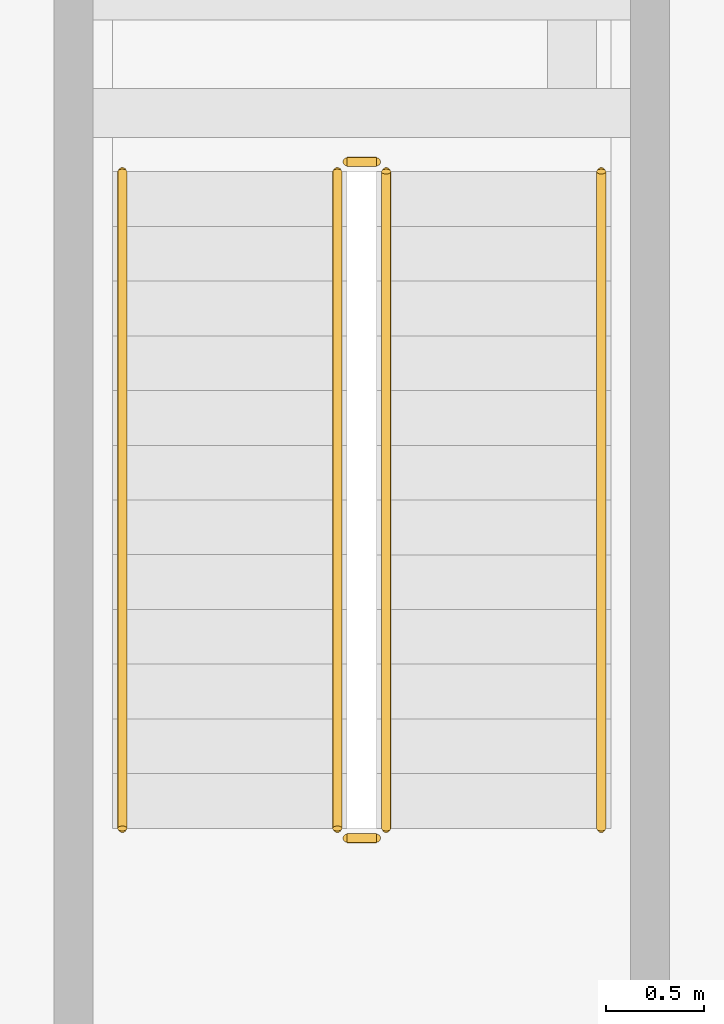
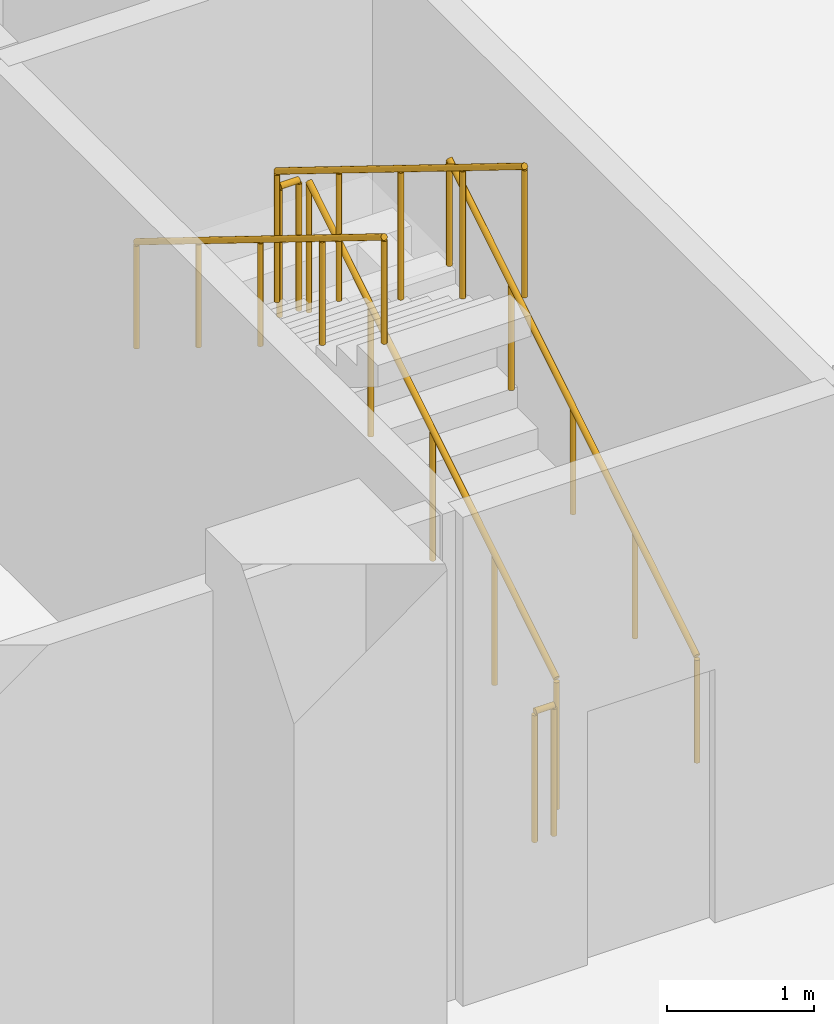
# One storey, part 31 of 34: 6 railings.
"""IFC4 building model written with IfcOpenShell, lengths in metres."""

from ifc_helpers import new_model, si_unit, direction, frame, origin, origin_2d, place, context, subcontext, project, spatial, circle, extrude, material, type_object, element, save


model = new_model("IFC4")

# Units and contexts
model_context = context("Model", 3, precision=1e-05, world=origin(), true_north=direction((0.0, 1.0)))
body_context = subcontext(model_context, "Body", "Model", "MODEL_VIEW")
ifc_project = project(units=[si_unit("LENGTHUNIT", "METRE"), si_unit("AREAUNIT", "SQUARE_METRE"), si_unit("VOLUMEUNIT", "CUBIC_METRE"), si_unit("PLANEANGLEUNIT", "RADIAN"), si_unit("MASSUNIT", "GRAM", prefix="KILO")], contexts=[model_context])

# Site, building, storey
site_placement = place(None, origin())
site = spatial("IfcSite", under=ifc_project, at=site_placement, CompositionType="ELEMENT")
building_placement = place(site_placement, origin())
building = spatial("IfcBuilding", under=site, at=building_placement, Name="Ogive Gate Towers", CompositionType="ELEMENT")
storey_placement = place(building_placement, frame((0.0, 0.0, -4.5)))
storey = spatial("IfcBuildingStorey", under=building, at=storey_placement, Name="B1", CompositionType="ELEMENT", Elevation=-4.5)

# Railings
ifc_material_1 = material(Name="Painted steel", Category="steel")
railing_type_1 = type_object("IfcRailingType", Name="Car park stair guard 1100", PredefinedType="GUARDRAIL", material=ifc_material_1)
railing_1_placement = place(storey_placement, frame((-96.10009765625, 64.89990234375, 0.173095703125)))
element("IfcRailing", 1, at=railing_1_placement, inside=storey, type_object=railing_type_1, Name="B1 CS1 stair guard 1", PredefinedType="GUARDRAIL", context=body_context, shape_type="SweptSolid", body=[
    extrude(circle(Radius=0.02392578125, at=origin_2d()), frame((0.0, 0.0, 1.076171875), z_axis=(0.0, 0.850623216509, 0.525775754039), x_axis=(-1.0, 0.0, 0.0)), (0.0, 0.0, 1.0), 3.9501953125),
    extrude(circle(Radius=0.02099609375, at=origin_2d()), origin(), (0.0, 0.0, 1.0), 1.052001953125),
    extrude(circle(Radius=0.02099609375, at=origin_2d()), frame((0.0, 0.840087890625, 0.519287109375)), (0.0, 0.0, 1.0), 1.052001953125),
    extrude(circle(Radius=0.02099609375, at=origin_2d()), frame((0.0, 1.68017578125, 1.03857421875)), (0.0, 0.0, 1.0), 1.052001953125),
    extrude(circle(Radius=0.02099609375, at=origin_2d()), frame((0.0, 2.52001953125, 1.5576171875)), (0.0, 0.0, 1.0), 1.052001953125),
    extrude(circle(Radius=0.02099609375, at=origin_2d()), frame((0.0, 3.360107421875, 2.076904296875)), (0.0, 0.0, 1.0), 1.052001953125),
])
railing_2_placement = place(storey_placement, frame((-96.14990234375, 68.31005859375, 2.25)))
element("IfcRailing", 2, at=railing_2_placement, inside=storey, type_object=railing_type_1, Name="B1 CS1 stair guard 2", PredefinedType="GUARDRAIL", context=body_context, shape_type="SweptSolid", body=[
    extrude(circle(Radius=0.02392578125, at=origin_2d()), frame((0.0, 0.0, 1.076171875), z_axis=(-1.0, 0.0, 0.0), x_axis=(0.0, -1.0, 0.0)), (0.0, 0.0, 1.0), 0.150146484375),
    extrude(circle(Radius=0.02099609375, at=origin_2d()), origin(), (0.0, 0.0, 1.0), 1.052001953125),
    extrude(circle(Radius=0.02099609375, at=origin_2d()), frame((-0.150146484375, 0.0, 0.0)), (0.0, 0.0, 1.0), 1.052001953125),
])
railing_3_placement = place(storey_placement, frame((-96.35009765625, 68.260009765625, 2.423095703125)))
element("IfcRailing", 3, at=railing_3_placement, inside=storey, type_object=railing_type_1, Name="B1 CS1 stair guard 3", PredefinedType="GUARDRAIL", context=body_context, shape_type="SweptSolid", body=[
    extrude(circle(Radius=0.02392578125, at=origin_2d()), frame((0.0, 0.0, 1.076171875), z_axis=(0.0, -0.850623216509, 0.525775754039), x_axis=(1.0, 0.0, 0.0)), (0.0, 0.0, 1.0), 3.9501953125),
    extrude(circle(Radius=0.02099609375, at=origin_2d()), origin(), (0.0, 0.0, 1.0), 1.052001953125),
    extrude(circle(Radius=0.02099609375, at=origin_2d()), frame((0.0, -0.840087890625, 0.519287109375)), (0.0, 0.0, 1.0), 1.052001953125),
    extrude(circle(Radius=0.02099609375, at=origin_2d()), frame((0.0, -1.68017578125, 1.03857421875)), (0.0, 0.0, 1.0), 1.052001953125),
    extrude(circle(Radius=0.02099609375, at=origin_2d()), frame((0.0, -2.52001953125, 1.5576171875)), (0.0, 0.0, 1.0), 1.052001953125),
    extrude(circle(Radius=0.02099609375, at=origin_2d()), frame((0.0, -3.360107421875, 2.076904296875)), (0.0, 0.0, 1.0), 1.052001953125),
])
railing_4_placement = place(storey_placement, frame((-96.14990234375, 64.85009765625, 0.0)))
element("IfcRailing", 4, at=railing_4_placement, inside=storey, type_object=railing_type_1, Name="B1 CS1 stair guard 4", PredefinedType="GUARDRAIL", context=body_context, shape_type="SweptSolid", body=[
    extrude(circle(Radius=0.02392578125, at=origin_2d()), frame((0.0, 0.0, 1.076171875), z_axis=(-1.0, 0.0, 0.0), x_axis=(0.0, -1.0, 0.0)), (0.0, 0.0, 1.0), 0.150146484375),
    extrude(circle(Radius=0.02099609375, at=origin_2d()), origin(), (0.0, 0.0, 1.0), 1.052001953125),
    extrude(circle(Radius=0.02099609375, at=origin_2d()), frame((-0.150146484375, 0.0, 0.0)), (0.0, 0.0, 1.0), 1.052001953125),
])
ifc_material_2 = material(Name="Stainless steel handrail", Category="steel")
railing_type_2 = type_object("IfcRailingType", Name="Car park stair handrail 900", PredefinedType="HANDRAIL", material=ifc_material_2)
railing_5_placement = place(storey_placement, frame((-95.0, 64.89990234375, 0.173095703125)))
element("IfcRailing", 5, at=railing_5_placement, inside=storey, type_object=railing_type_2, Name="B1 CS1 stair handrail 1", PredefinedType="HANDRAIL", context=body_context, shape_type="SweptSolid", body=[
    extrude(circle(Radius=0.02392578125, at=origin_2d()), frame((0.0, 0.0, 0.8759765625), z_axis=(0.0, 0.850623216509, 0.525775754039), x_axis=(-1.0, 0.0, 0.0)), (0.0, 0.0, 1.0), 3.9501953125),
    extrude(circle(Radius=0.02099609375, at=origin_2d()), origin(), (0.0, 0.0, 1.0), 0.851806640625),
    extrude(circle(Radius=0.02099609375, at=origin_2d()), frame((0.0, 0.840087890625, 0.519287109375)), (0.0, 0.0, 1.0), 0.851806640625),
    extrude(circle(Radius=0.02099609375, at=origin_2d()), frame((0.0, 1.68017578125, 1.03857421875)), (0.0, 0.0, 1.0), 0.851806640625),
    extrude(circle(Radius=0.02099609375, at=origin_2d()), frame((0.0, 2.52001953125, 1.5576171875)), (0.0, 0.0, 1.0), 0.851806640625),
    extrude(circle(Radius=0.02099609375, at=origin_2d()), frame((0.0, 3.360107421875, 2.076904296875)), (0.0, 0.0, 1.0), 0.851806640625),
])
railing_6_placement = place(storey_placement, frame((-97.449951171875, 68.260009765625, 2.423095703125)))
element("IfcRailing", 6, at=railing_6_placement, inside=storey, type_object=railing_type_2, Name="B1 CS1 stair handrail 2", PredefinedType="HANDRAIL", context=body_context, shape_type="SweptSolid", body=[
    extrude(circle(Radius=0.02392578125, at=origin_2d()), frame((0.0, 0.0, 0.8759765625), z_axis=(0.0, -0.850623216509, 0.525775754039), x_axis=(1.0, 0.0, 0.0)), (0.0, 0.0, 1.0), 3.9501953125),
    extrude(circle(Radius=0.02099609375, at=origin_2d()), origin(), (0.0, 0.0, 1.0), 0.851806640625),
    extrude(circle(Radius=0.02099609375, at=origin_2d()), frame((0.0, -0.840087890625, 0.519287109375)), (0.0, 0.0, 1.0), 0.851806640625),
    extrude(circle(Radius=0.02099609375, at=origin_2d()), frame((0.0, -1.68017578125, 1.03857421875)), (0.0, 0.0, 1.0), 0.851806640625),
    extrude(circle(Radius=0.02099609375, at=origin_2d()), frame((0.0, -2.52001953125, 1.5576171875)), (0.0, 0.0, 1.0), 0.851806640625),
    extrude(circle(Radius=0.02099609375, at=origin_2d()), frame((0.0, -3.360107421875, 2.076904296875)), (0.0, 0.0, 1.0), 0.851806640625),
])

save(model, "model.ifc")
